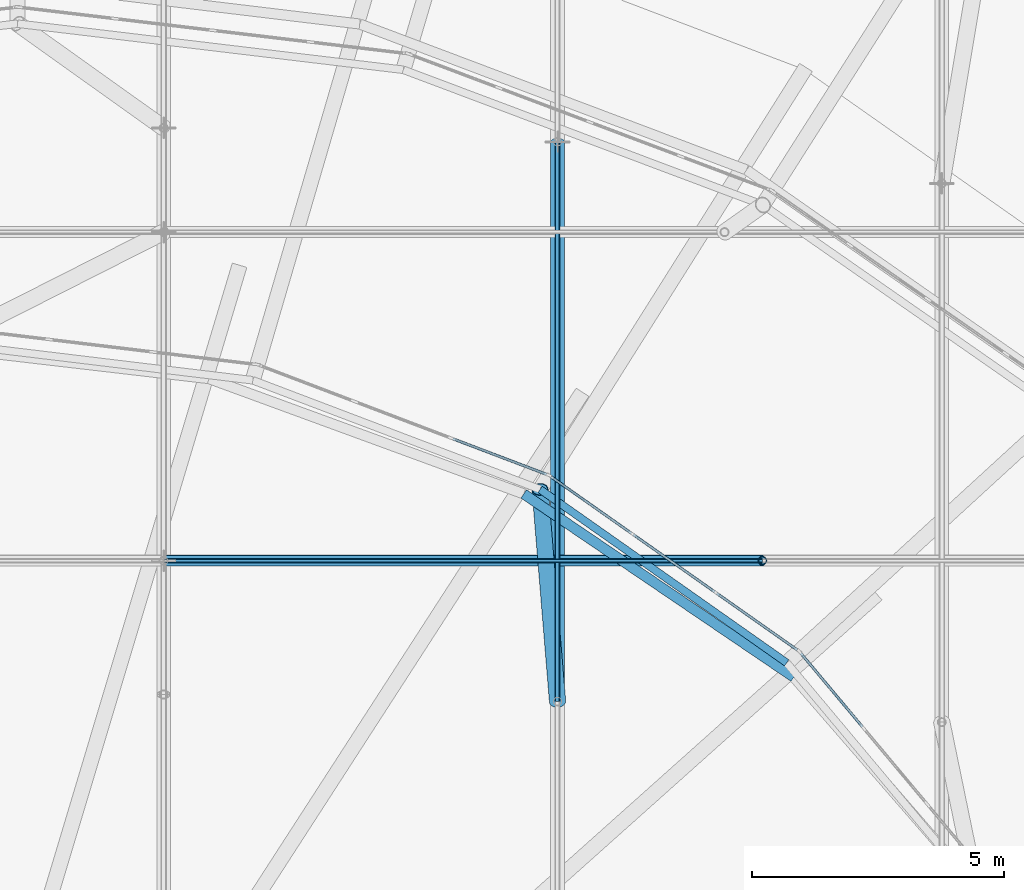
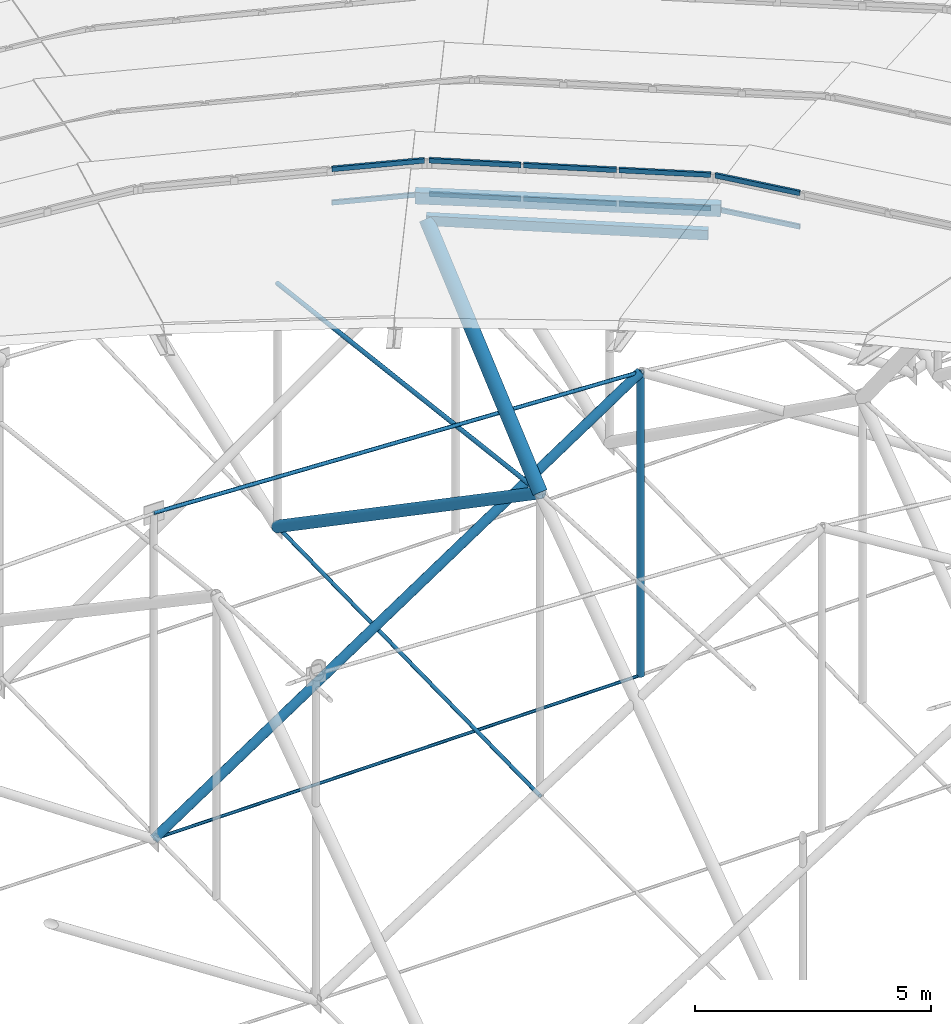
# One storey, part 73 of 173: 20 members, 3 elements without a shape of their own.
"""IFC4 building model written with IfcOpenShell, lengths in metres."""

import ifcopenshell
import ifcopenshell.guid

model = None  # the IFC model being written
_history = None  # IfcOwnerHistory: only IFC2X3 demands one
_inside = {}  # id of a spatial element -> (the spatial element, [elements in it])
_under = {}  # id of a project, library or spatial element -> (it, [spatial elements below it])
_declared = {}  # id of a project -> (the project, [libraries it declares])
_typed = {}  # id of a type object -> (the type object, [elements of that type])
_made_of = {}  # id of a material, layer set ... -> (it, [elements and type objects made of it])


def new_model(schema):
    """Start an empty IFC model of exactly this schema.

    Asked for "IFC4X3", IfcOpenShell would pick the latest addendum, in which some entities
    have other attributes; the version numbers below select the first issue.
    IFC2X3 requires an IfcOwnerHistory on every rooted entity: one is made here for all.
    """
    global model, _history
    if schema == "IFC4X3":
        model = ifcopenshell.file(schema_version=(4, 3, 0, 0))
    else:
        model = ifcopenshell.file(schema=schema)
    _inside.clear()
    _under.clear()
    _declared.clear()
    _typed.clear()
    _made_of.clear()
    _history = None
    if model.schema == "IFC2X3":
        org = make("IfcOrganization", Name="unknown")
        user = make(
            "IfcPersonAndOrganization",
            ThePerson=make("IfcPerson", FamilyName="unknown"),
            TheOrganization=org,
        )
        app = make(
            "IfcApplication",
            ApplicationDeveloper=org,
            Version="unknown",
            ApplicationFullName="unknown",
            ApplicationIdentifier="unknown",
        )
        _history = make(
            "IfcOwnerHistory",
            OwningUser=user,
            OwningApplication=app,
            ChangeAction="ADDED",
            CreationDate=0,
        )
    return model


def make(cls, **values):
    """One entity of the class cls with the attributes given. An attribute that is None is left unset."""
    return model.create_entity(
        cls, **{name: value for name, value in values.items() if value is not None}
    )


def rooted(cls, **values):
    """An entity with a GlobalId (a new one), such as an element, a storey or a relation."""
    return make(cls, GlobalId=ifcopenshell.guid.new(), OwnerHistory=_history, **values)


def si_unit(unit_type, name, prefix=None):
    """IfcSIUnit, for example si_unit("LENGTHUNIT", "METRE", prefix="MILLI")."""
    return make("IfcSIUnit", UnitType=unit_type, Prefix=prefix, Name=name)


def assignment(units):
    """IfcUnitAssignment: the units of a project."""
    return None if units is None else make("IfcUnitAssignment", Units=units)


def point(xyz):
    """IfcCartesianPoint."""
    return None if xyz is None else make("IfcCartesianPoint", Coordinates=xyz)


def direction(xyz):
    """IfcDirection."""
    return None if xyz is None else make("IfcDirection", DirectionRatios=xyz)


def frame(location, z_axis=None, x_axis=None):
    """IfcAxis2Placement3D, a coordinate frame: its origin and axes. An axis left out is left unset."""
    return make(
        "IfcAxis2Placement3D",
        Location=point(location),
        Axis=direction(z_axis),
        RefDirection=direction(x_axis),
    )


def frame_2d(location, x_axis=None):
    """IfcAxis2Placement2D, a coordinate frame in the plane: its origin and x axis."""
    return make(
        "IfcAxis2Placement2D", Location=point(location), RefDirection=direction(x_axis)
    )


def origin():
    """The frame at (0, 0, 0) with its axes left unset."""
    return frame((0.0, 0.0, 0.0))


def origin_2d():
    """The frame at (0, 0) in the plane with its x axis left unset."""
    return frame_2d((0.0, 0.0))


def place(relative_to, where):
    """IfcLocalPlacement: puts the frame where relative to a parent placement (None: the world)."""
    return make(
        "IfcLocalPlacement", PlacementRelTo=relative_to, RelativePlacement=where
    )


def context(
    kind, dimensions, precision=None, world=None, true_north=None, identifier=None
):
    """IfcGeometricRepresentationContext, for example the 3D "Model" context."""
    return make(
        "IfcGeometricRepresentationContext",
        ContextIdentifier=identifier,
        ContextType=kind,
        CoordinateSpaceDimension=dimensions,
        Precision=precision,
        WorldCoordinateSystem=world,
        TrueNorth=true_north,
    )


def subcontext(parent, identifier, kind, view, scale=None):
    """IfcGeometricRepresentationSubContext, for example "Body" below "Model"."""
    return make(
        "IfcGeometricRepresentationSubContext",
        ContextIdentifier=identifier,
        ContextType=kind,
        ParentContext=parent,
        TargetScale=scale,
        TargetView=view,
    )


def project(units=None, contexts=None):
    """IfcProject with its units and contexts."""
    return rooted(
        "IfcProject",
        Name="project",
        RepresentationContexts=contexts,
        UnitsInContext=assignment(units),
    )


def spatial(cls, under=None, at=None, **own):
    """A site, building, storey or space (cls), placed at a placement, below another one or the project."""
    s = rooted(cls, ObjectPlacement=at, **own)
    if under is not None:
        _under.setdefault(under.id(), (under, []))[1].append(s)
    return s


def profile(cls, at=None, kind="AREA", **sizes):
    """A parametric profile (cls). Its sizes go by their IFC names, for example OverallWidth=200.0."""
    return make(cls, ProfileType=kind, Position=at, **sizes)


def rectangle(**sizes):
    """IfcRectangleProfileDef."""
    return profile("IfcRectangleProfileDef", **sizes)


def hollow_rectangle(**sizes):
    """IfcRectangleHollowProfileDef."""
    return profile("IfcRectangleHollowProfileDef", **sizes)


def circle(**sizes):
    """IfcCircleProfileDef."""
    return profile("IfcCircleProfileDef", **sizes)


def hollow_circle(**sizes):
    """IfcCircleHollowProfileDef."""
    return profile("IfcCircleHollowProfileDef", **sizes)


def extrude(swept, where, along, depth):
    """IfcExtrudedAreaSolid: the profile swept, set in the frame where, extruded along a direction by depth."""
    return make(
        "IfcExtrudedAreaSolid",
        SweptArea=swept,
        Position=where,
        ExtrudedDirection=direction(along),
        Depth=depth,
    )


def shape(context_of_items, identifier, shape_type, items):
    """IfcShapeRepresentation: the items that make up one representation, for example the "Body"."""
    return make(
        "IfcShapeRepresentation",
        ContextOfItems=context_of_items,
        RepresentationIdentifier=identifier,
        RepresentationType=shape_type,
        Items=items,
    )


def material(Name=None, Category=None):
    """IfcMaterial."""
    return make("IfcMaterial", Name=Name, Category=Category)


def material_profile(
    of_material, cross_section, Name=None, Category=None, Priority=None
):
    """IfcMaterialProfile: a cross section and its material."""
    return make(
        "IfcMaterialProfile",
        Name=Name,
        Material=of_material,
        Profile=cross_section,
        Priority=Priority,
        Category=Category,
    )


def profile_set(profiles, Name=None, composite=None):
    """IfcMaterialProfileSet."""
    return make(
        "IfcMaterialProfileSet",
        Name=Name,
        MaterialProfiles=profiles,
        CompositeProfile=composite,
    )


def made_of(thing, what):
    """Note that an element or type object is made of a material, layer set ...; save() writes the relation."""
    if what is not None:
        _made_of.setdefault(what.id(), (what, []))[1].append(thing)
    return thing


def type_object(cls, material=None, **own):
    """A type object (cls), such as IfcWallType, which elements share."""
    return made_of(rooted(cls, **own), material)


def element(
    cls,
    number,
    at=None,
    inside=None,
    cuts=None,
    type_object=None,
    material=None,
    context=None,
    identifier="Body",
    shape_type=None,
    held_by="IfcProductDefinitionShape",
    body=None,
    shapes=None,
    **own,
):
    """One element of the class cls, such as IfcWall. Its Tag is "e" and its number.

    at: its placement. inside: the storey or other place that contains it. cuts: it is an
    opening in that element (IfcRelVoidsElement). A single representation is given by context,
    identifier, shape_type and body (its items); several are given by shapes. held_by: the class
    of the entity that holds the representations. save() writes the other relations.
    """
    e = rooted(cls, Tag="e%d" % number, ObjectPlacement=at, **own)
    if body is not None:
        shapes = [shape(context, identifier, shape_type, body)]
    if shapes is not None:
        e.Representation = make(held_by, Representations=shapes)
    if inside is not None:
        _inside.setdefault(inside.id(), (inside, []))[1].append(e)
    if cuts is not None:
        rooted(
            "IfcRelVoidsElement", RelatingBuildingElement=cuts, RelatedOpeningElement=e
        )
    if type_object is not None:
        _typed.setdefault(type_object.id(), (type_object, []))[1].append(e)
    return made_of(e, material)


def aggregate(whole, parts):
    """IfcRelAggregates: a whole, such as a stair, and the parts it consists of."""
    return rooted("IfcRelAggregates", RelatingObject=whole, RelatedObjects=parts)


def save(model, path):
    """Write the relations noted so far, then the file.

    IfcRelAggregates (storeys below a building ...), IfcRelContainedInSpatialStructure (elements
    in a storey), IfcRelDefinesByType, IfcRelAssociatesMaterial and IfcRelDeclares: one each for
    every whole, place, type object, material and project.
    """
    for whole, parts in _under.values():
        aggregate(whole, parts)
    for where, things in _inside.values():
        rooted(
            "IfcRelContainedInSpatialStructure",
            RelatedElements=things,
            RelatingStructure=where,
        )
    for kind, things in _typed.values():
        rooted("IfcRelDefinesByType", RelatedObjects=things, RelatingType=kind)
    for what, things in _made_of.values():
        rooted("IfcRelAssociatesMaterial", RelatedObjects=things, RelatingMaterial=what)
    for by, libraries in _declared.values():
        rooted("IfcRelDeclares", RelatingContext=by, RelatedDefinitions=libraries)
    model.write(path)


model = new_model("IFC4")

# Units and contexts
model_context = context("Model", 3, precision=1e-05, world=origin(), true_north=direction((0.0, 1.0)))
body_context = subcontext(model_context, "Body", "Model", "MODEL_VIEW")
ifc_project = project(units=[si_unit("LENGTHUNIT", "METRE"), si_unit("AREAUNIT", "SQUARE_METRE"), si_unit("VOLUMEUNIT", "CUBIC_METRE"), si_unit("PLANEANGLEUNIT", "RADIAN"), si_unit("MASSUNIT", "GRAM", prefix="KILO")], contexts=[model_context])

# Site, building, storey
site_placement = place(None, origin())
site = spatial("IfcSite", under=ifc_project, at=site_placement, CompositionType="ELEMENT")
building_placement = place(site_placement, origin())
building = spatial("IfcBuilding", under=site, at=building_placement, Name="Glasvene Arena", CompositionType="ELEMENT")
storey_placement = place(building_placement, frame((0.0, 0.0, 28.800048828125)))
storey = spatial("IfcBuildingStorey", under=building, at=storey_placement, Name="RF", CompositionType="ELEMENT", Elevation=28.800048828125)

# Curtain wall, members
ifc_material_1 = material(Name="Low-emissivity laminated double glazing", Category="glass")
curtain_wall_type_1 = type_object("IfcCurtainWallType", Name="CW-PET4-594x92", PredefinedType="USERDEFINED", material=ifc_material_1)
curtain_wall_1_placement = place(storey_placement, frame((108.4345703125, 80.550048828125, 0.0)))
curtain_wall_1 = element("IfcCurtainWall", 1, at=curtain_wall_1_placement, inside=storey, type_object=curtain_wall_type_1, Name="Petal ring 4-5 clerestory curtain wall 03", ObjectType="CURTAIN WALL", PredefinedType="USERDEFINED")
ifc_material_2 = material(Name="Anodised architectural aluminium", Category="aluminium")
ifc_material_profile_1 = material_profile(ifc_material_2, rectangle(XDim=0.050048828125, YDim=0.1201171875, at=origin_2d()), Name="ALU TRANSOM 50x120")
ifc_profile_set_1 = profile_set([ifc_material_profile_1], Name="Anodised architectural aluminium")
member_type_1 = type_object("IfcMemberType", Name="CW-TRN-120", PredefinedType="USERDEFINED", material=ifc_profile_set_1)
member_1_placement = place(storey_placement, frame((105.8759765625, 83.606689453125, 10.554931640625), z_axis=(-0.641959426769, 0.766738608903, 0.0), x_axis=(-0.766738608903, -0.641959426769, 0.0)))
member_1 = element("IfcMember", 2, at=member_1_placement, type_object=member_type_1, Name="CW-101 transom 3.1", ObjectType="TRANSOM", PredefinedType="USERDEFINED", context=body_context, shape_type="SweptSolid", body=[
    extrude(rectangle(XDim=0.050048828125, YDim=0.1201171875, at=origin_2d()), origin(), (0.0, 0.0, 1.0), 1.90576171875),
])
member_2_placement = place(storey_placement, frame((105.8759765625, 83.606689453125, 11.4208984375), z_axis=(-0.641959426769, 0.766738608903, 0.0), x_axis=(-0.766738608903, -0.641959426769, 0.0)))
member_2 = element("IfcMember", 3, at=member_2_placement, type_object=member_type_1, Name="CW-101 transom 3.2", ObjectType="TRANSOM", PredefinedType="USERDEFINED", context=body_context, shape_type="SweptSolid", body=[
    extrude(rectangle(XDim=0.050048828125, YDim=0.1201171875, at=origin_2d()), origin(), (0.0, 0.0, 1.0), 1.90576171875),
])
aggregate(curtain_wall_1, [member_1, member_2])

curtain_wall_type_2 = type_object("IfcCurtainWallType", Name="CW-PET4-608x92", PredefinedType="USERDEFINED", material=ifc_material_1)
curtain_wall_2_placement = place(storey_placement, frame((104.62060546875, 85.106201171875, 0.0)))
curtain_wall_2 = element("IfcCurtainWall", 4, at=curtain_wall_2_placement, inside=storey, type_object=curtain_wall_type_2, Name="Petal ring 4-5 clerestory curtain wall 04", ObjectType="CURTAIN WALL", PredefinedType="USERDEFINED")
member_3_placement = place(storey_placement, frame((104.57958984375, 85.135009765625, 10.554931640625), z_axis=(-0.81790676282, 0.575350786333, 0.0), x_axis=(-0.575350786333, -0.81790676282, 0.0)))
member_3 = element("IfcMember", 5, at=member_3_placement, type_object=member_type_1, Name="CW-102 transom 1.1", ObjectType="TRANSOM", PredefinedType="USERDEFINED", context=body_context, shape_type="SweptSolid", body=[
    extrude(rectangle(XDim=0.050048828125, YDim=0.1201171875, at=origin_2d()), origin(), (0.0, 0.0, 1.0), 1.95068359375),
])
member_4_placement = place(storey_placement, frame((104.57958984375, 85.135009765625, 11.4208984375), z_axis=(-0.81790676282, 0.575350786333, 0.0), x_axis=(-0.575350786333, -0.81790676282, 0.0)))
member_4 = element("IfcMember", 6, at=member_4_placement, type_object=member_type_1, Name="CW-102 transom 1.2", ObjectType="TRANSOM", PredefinedType="USERDEFINED", context=body_context, shape_type="SweptSolid", body=[
    extrude(rectangle(XDim=0.050048828125, YDim=0.1201171875, at=origin_2d()), origin(), (0.0, 0.0, 1.0), 1.95068359375),
])
member_5_placement = place(storey_placement, frame((102.943359375, 86.2861328125, 10.554931640625), z_axis=(-0.817911950472, 0.575343411603, 0.0), x_axis=(-0.575343411603, -0.817911950472, 0.0)))
member_5 = element("IfcMember", 7, at=member_5_placement, type_object=member_type_1, Name="CW-102 transom 2.1", ObjectType="TRANSOM", PredefinedType="USERDEFINED", context=body_context, shape_type="SweptSolid", body=[
    extrude(rectangle(XDim=0.050048828125, YDim=0.1201171875, at=origin_2d()), origin(), (0.0, 0.0, 1.0), 1.975830078125),
])
member_6_placement = place(storey_placement, frame((102.943359375, 86.2861328125, 11.4208984375), z_axis=(-0.817911950472, 0.575343411603, 0.0), x_axis=(-0.575343411603, -0.817911950472, 0.0)))
member_6 = element("IfcMember", 8, at=member_6_placement, type_object=member_type_1, Name="CW-102 transom 2.2", ObjectType="TRANSOM", PredefinedType="USERDEFINED", context=body_context, shape_type="SweptSolid", body=[
    extrude(rectangle(XDim=0.050048828125, YDim=0.1201171875, at=origin_2d()), origin(), (0.0, 0.0, 1.0), 1.975830078125),
])
member_7_placement = place(storey_placement, frame((101.286376953125, 87.45166015625, 10.554931640625), z_axis=(-0.817965659984, 0.575267050235, 0.0), x_axis=(-0.575267050235, -0.817965659984, 0.0)))
member_7 = element("IfcMember", 9, at=member_7_placement, type_object=member_type_1, Name="CW-102 transom 3.1", ObjectType="TRANSOM", PredefinedType="USERDEFINED", context=body_context, shape_type="SweptSolid", body=[
    extrude(rectangle(XDim=0.050048828125, YDim=0.1201171875, at=origin_2d()), origin(), (0.0, 0.0, 1.0), 1.950439453125),
])
member_8_placement = place(storey_placement, frame((101.286376953125, 87.45166015625, 11.4208984375), z_axis=(-0.817965659984, 0.575267050235, 0.0), x_axis=(-0.575267050235, -0.817965659984, 0.0)))
member_8 = element("IfcMember", 10, at=member_8_placement, type_object=member_type_1, Name="CW-102 transom 3.2", ObjectType="TRANSOM", PredefinedType="USERDEFINED", context=body_context, shape_type="SweptSolid", body=[
    extrude(rectangle(XDim=0.050048828125, YDim=0.1201171875, at=origin_2d()), origin(), (0.0, 0.0, 1.0), 1.950439453125),
])
aggregate(curtain_wall_2, [member_3, member_4, member_5, member_6, member_7, member_8])

curtain_wall_type_3 = type_object("IfcCurtainWallType", Name="CW-PET4-619x92", PredefinedType="USERDEFINED", material=ifc_material_1)
curtain_wall_3_placement = place(storey_placement, frame((99.64990234375, 88.6025390625, 0.0)))
curtain_wall_3 = element("IfcCurtainWall", 11, at=curtain_wall_3_placement, inside=storey, type_object=curtain_wall_type_3, Name="Petal ring 4-5 clerestory curtain wall 05", ObjectType="CURTAIN WALL", PredefinedType="USERDEFINED")
member_9_placement = place(storey_placement, frame((99.603271484375, 88.620361328125, 10.554931640625), z_axis=(-0.934868333805, 0.354994645662, 0.0), x_axis=(-0.354994645662, -0.934868333805, 0.0)))
member_9 = element("IfcMember", 12, at=member_9_placement, type_object=member_type_1, Name="CW-103 transom 1.1", ObjectType="TRANSOM", PredefinedType="USERDEFINED", context=body_context, shape_type="SweptSolid", body=[
    extrude(rectangle(XDim=0.050048828125, YDim=0.1201171875, at=origin_2d()), origin(), (0.0, 0.0, 1.0), 1.989013671875),
])
member_10_placement = place(storey_placement, frame((99.603271484375, 88.620361328125, 11.4208984375), z_axis=(-0.934868333805, 0.354994645662, 0.0), x_axis=(-0.354994645662, -0.934868333805, 0.0)))
member_10 = element("IfcMember", 13, at=member_10_placement, type_object=member_type_1, Name="CW-103 transom 1.2", ObjectType="TRANSOM", PredefinedType="USERDEFINED", context=body_context, shape_type="SweptSolid", body=[
    extrude(rectangle(XDim=0.050048828125, YDim=0.1201171875, at=origin_2d()), origin(), (0.0, 0.0, 1.0), 1.989013671875),
])
aggregate(curtain_wall_3, [member_9, member_10])

# Members
ifc_material_3 = material(Name="High-strength steel spiral strand S460", Category="steel")
ifc_material_profile_2 = material_profile(ifc_material_3, circle(Radius=0.052490234375, at=origin_2d()), Name="LCSS D105")
ifc_profile_set_2 = profile_set([ifc_material_profile_2], Name="High-strength steel spiral strand S460")
member_type_2 = type_object("IfcMemberType", Name="MB-CABLE-105", PredefinedType="USERDEFINED", material=ifc_profile_set_2)
member_11_placement = place(storey_placement, frame((99.82177734375, 84.111572265625, 5.499267578125), z_axis=(0.0, 0.992888292439, -0.119049732199), x_axis=(-1.0, 0.0, 0.0)))
element("IfcMember", 14, at=member_11_placement, inside=storey, type_object=member_type_2, Name="Upper lens roof cable NS04-06", ObjectType="ROOF CABLE", PredefinedType="USERDEFINED", context=body_context, shape_type="SweptSolid", body=[
    extrude(circle(Radius=0.052490234375, at=origin_2d()), origin(), (0.0, 0.0, 1.0), 11.19091796875),
])
ifc_material_profile_3 = material_profile(ifc_material_3, circle(Radius=0.03759765625, at=origin_2d()), Name="LCSS D75")
ifc_profile_set_3 = profile_set([ifc_material_profile_3], Name="High-strength steel spiral strand S460")
member_type_3 = type_object("IfcMemberType", Name="MB-CABLE-75", PredefinedType="USERDEFINED", material=ifc_profile_set_3)
member_12_placement = place(storey_placement, frame((92.0, 86.90576171875, -2.400146484375), z_axis=(0.999981649362, 0.0, 0.006058130089), x_axis=(0.0, 1.0, 0.0)))
element("IfcMember", 15, at=member_12_placement, inside=storey, type_object=member_type_3, Name="Lower stabilization roof cable EW06-05", ObjectType="ROOF CABLE", PredefinedType="USERDEFINED", context=body_context, shape_type="SweptSolid", body=[
    extrude(circle(Radius=0.03759765625, at=origin_2d()), origin(), (0.0, 0.0, 1.0), 11.888427734375),
])
ifc_material_profile_4 = material_profile(ifc_material_3, circle(Radius=0.044921875, at=origin_2d()), Name="LCSS D90")
ifc_profile_set_4 = profile_set([ifc_material_profile_4], Name="High-strength steel spiral strand S460")
member_type_4 = type_object("IfcMemberType", Name="MB-CABLE-90", PredefinedType="USERDEFINED", material=ifc_profile_set_4)
member_13_placement = place(storey_placement, frame((99.82177734375, 84.111572265625, -2.328125), z_axis=(0.0, 0.999811844471, 0.019397826039), x_axis=(-1.0, 0.0, 0.0)))
element("IfcMember", 16, at=member_13_placement, inside=storey, type_object=member_type_4, Name="Lower stabilization roof cable NS04-06", ObjectType="ROOF CABLE", PredefinedType="USERDEFINED", context=body_context, shape_type="SweptSolid", body=[
    extrude(circle(Radius=0.044921875, at=origin_2d()), origin(), (0.0, 0.0, 1.0), 11.113525390625),
])
member_14_placement = place(storey_placement, frame((92.0, 86.90576171875, 6.02001953125), z_axis=(0.999041976049, 0.0, -0.043762199345), x_axis=(0.0, 1.0, 0.0)))
element("IfcMember", 17, at=member_14_placement, inside=storey, type_object=member_type_4, Name="Upper lens roof cable EW06-05", ObjectType="ROOF CABLE", PredefinedType="USERDEFINED", context=body_context, shape_type="SweptSolid", body=[
    extrude(circle(Radius=0.044921875, at=origin_2d()), origin(), (0.0, 0.0, 1.0), 11.899658203125),
])
ifc_material_4 = material(Name="Steel S355J2", Category="steel")
ifc_material_profile_5 = material_profile(ifc_material_4, hollow_circle(Radius=0.161865234375, WallThickness=0.01611328125, at=origin_2d()), Name="CHS 323.9x16.0")
ifc_profile_set_5 = profile_set([ifc_material_profile_5], Name="Steel S355J2")
member_type_5 = type_object("IfcMemberType", Name="MB-POST-CHS324", PredefinedType="BRACE", material=ifc_profile_set_5)
member_15_placement = place(storey_placement, frame((99.82177734375, 84.111572265625, 5.499267578125), z_axis=(-0.055293282492, 0.67157974869, 0.738866222033), x_axis=(-0.996627760455, -0.082055512254, 0.0)))
element("IfcMember", 18, at=member_15_placement, inside=storey, type_object=member_type_5, Name="Petal ring 4 ridge support post 05", PredefinedType="BRACE", context=body_context, shape_type="SweptSolid", body=[
    extrude(hollow_circle(Radius=0.161865234375, WallThickness=0.01611328125, at=origin_2d()), origin(), (0.0, 0.0, 1.0), 6.269775390625),
])
ifc_material_profile_6 = material_profile(ifc_material_4, hollow_rectangle(XDim=0.14990234375, YDim=0.25, WallThickness=0.010009765625, at=origin_2d()), Name="RHS 250x150x10.0")
ifc_profile_set_6 = profile_set([ifc_material_profile_6], Name="Steel S355J2")
member_type_6 = type_object("IfcMemberType", Name="MB-PURLIN-RHS250", PredefinedType="PURLIN", material=ifc_profile_set_6)
member_16_placement = place(storey_placement, frame((104.373046875, 84.87744140625, 10.1318359375), z_axis=(-0.817954216409, 0.57528332138, 0.0), x_axis=(-0.57528332138, -0.817954216409, 0.0)))
element("IfcMember", 19, at=member_16_placement, inside=storey, type_object=member_type_6, Name="Petal ring 4 ridge purlin 04", PredefinedType="PURLIN", context=body_context, shape_type="SweptSolid", body=[
    extrude(hollow_rectangle(XDim=0.14990234375, YDim=0.25, WallThickness=0.010009765625, at=origin_2d()), origin(), (0.0, 0.0, 1.0), 5.988037109375),
])
ifc_material_profile_7 = material_profile(ifc_material_4, hollow_rectangle(XDim=0.199951171875, YDim=0.300048828125, WallThickness=0.012451171875, at=origin_2d()), Name="RHS 300x200x12.5")
ifc_profile_set_7 = profile_set([ifc_material_profile_7], Name="Steel S355J2")
member_type_7 = type_object("IfcMemberType", Name="MB-PURLIN-RHS300", PredefinedType="PURLIN", material=ifc_profile_set_7)
member_17_placement = place(storey_placement, frame((104.51416015625, 84.5927734375, 10.9013671875), z_axis=(-0.827538267337, 0.561409312439, 0.0), x_axis=(-0.561409312439, -0.827538267337, 0.0)))
element("IfcMember", 20, at=member_17_placement, inside=storey, type_object=member_type_7, Name="Petal ring 5 outer purlin 04", PredefinedType="PURLIN", context=body_context, shape_type="SweptSolid", body=[
    extrude(hollow_rectangle(XDim=0.199951171875, YDim=0.300048828125, WallThickness=0.012451171875, at=origin_2d()), origin(), (0.0, 0.0, 1.0), 6.482177734375),
])
ifc_material_profile_8 = material_profile(ifc_material_4, hollow_circle(Radius=0.084228515625, WallThickness=0.008056640625, at=origin_2d()), Name="CHS 168.3x8.0")
ifc_profile_set_8 = profile_set([ifc_material_profile_8], Name="Steel S355J2")
member_type_8 = type_object("IfcMemberType", Name="MB-WEB-CHS168", PredefinedType="BRACE", material=ifc_profile_set_8)
member_18_placement = place(storey_placement, frame((103.88818359375, 86.90576171875, -2.328125), z_axis=(0.0, 0.0, 1.0), x_axis=(1.0, 0.0, 0.0)))
element("IfcMember", 21, at=member_18_placement, inside=storey, type_object=member_type_8, Name="Cable-truss vertical strut EW06-05", PredefinedType="BRACE", context=body_context, shape_type="SweptSolid", body=[
    extrude(hollow_circle(Radius=0.084228515625, WallThickness=0.008056640625, at=origin_2d()), origin(), (0.0, 0.0, 1.0), 7.827392578125),
])
ifc_material_profile_9 = material_profile(ifc_material_4, hollow_circle(Radius=0.109619140625, WallThickness=0.010009765625, at=origin_2d()), Name="CHS 219.1x10.0")
ifc_profile_set_9 = profile_set([ifc_material_profile_9], Name="Steel S355J2")
member_type_9 = type_object("IfcMemberType", Name="MB-WEB-CHS219", PredefinedType="BRACE", material=ifc_profile_set_9)
member_19_placement = place(storey_placement, frame((92.0, 86.90576171875, -2.400146484375), z_axis=(0.832891408226, 0.0, 0.553436448116), x_axis=(0.0, 1.0, 0.0)))
element("IfcMember", 22, at=member_19_placement, inside=storey, type_object=member_type_9, Name="Cable-truss diagonal web strut EW06-05", PredefinedType="BRACE", context=body_context, shape_type="SweptSolid", body=[
    extrude(hollow_circle(Radius=0.109619140625, WallThickness=0.010009765625, at=origin_2d()), origin(), (0.0, 0.0, 1.0), 14.2734375),
])
ifc_material_profile_10 = material_profile(ifc_material_4, hollow_circle(Radius=0.136474609375, WallThickness=0.012451171875, at=origin_2d()), Name="CHS 273.0x12.5")
ifc_profile_set_10 = profile_set([ifc_material_profile_10], Name="Steel S355J2")
member_type_10 = type_object("IfcMemberType", Name="MB-WEB-CHS273", PredefinedType="BRACE", material=ifc_profile_set_10)
member_20_placement = place(storey_placement, frame((99.82177734375, 84.111572265625, 5.499267578125), z_axis=(0.0, 0.824984333575, -0.565155597473), x_axis=(-1.0, 0.0, 0.0)))
element("IfcMember", 23, at=member_20_placement, inside=storey, type_object=member_type_10, Name="Cable-truss diagonal web strut NS04-06", PredefinedType="BRACE", context=body_context, shape_type="SweptSolid", body=[
    extrude(hollow_circle(Radius=0.136474609375, WallThickness=0.012451171875, at=origin_2d()), origin(), (0.0, 0.0, 1.0), 13.468505859375),
])

save(model, "model.ifc")
